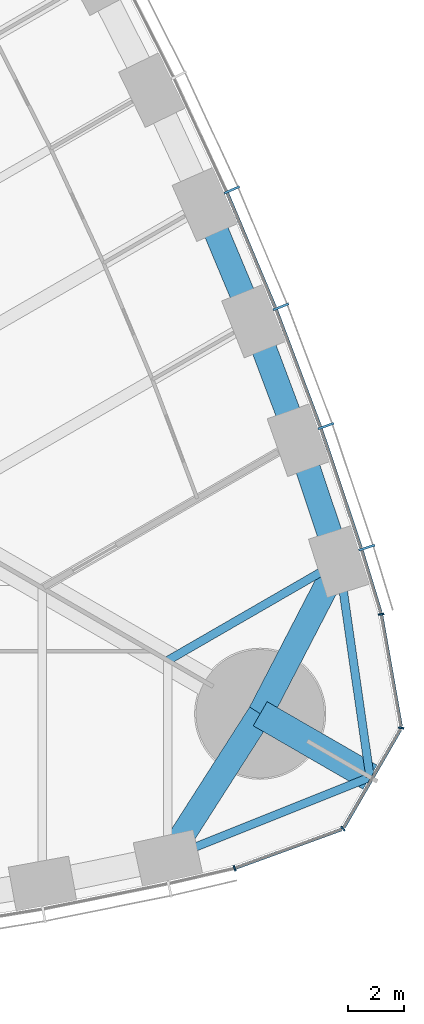
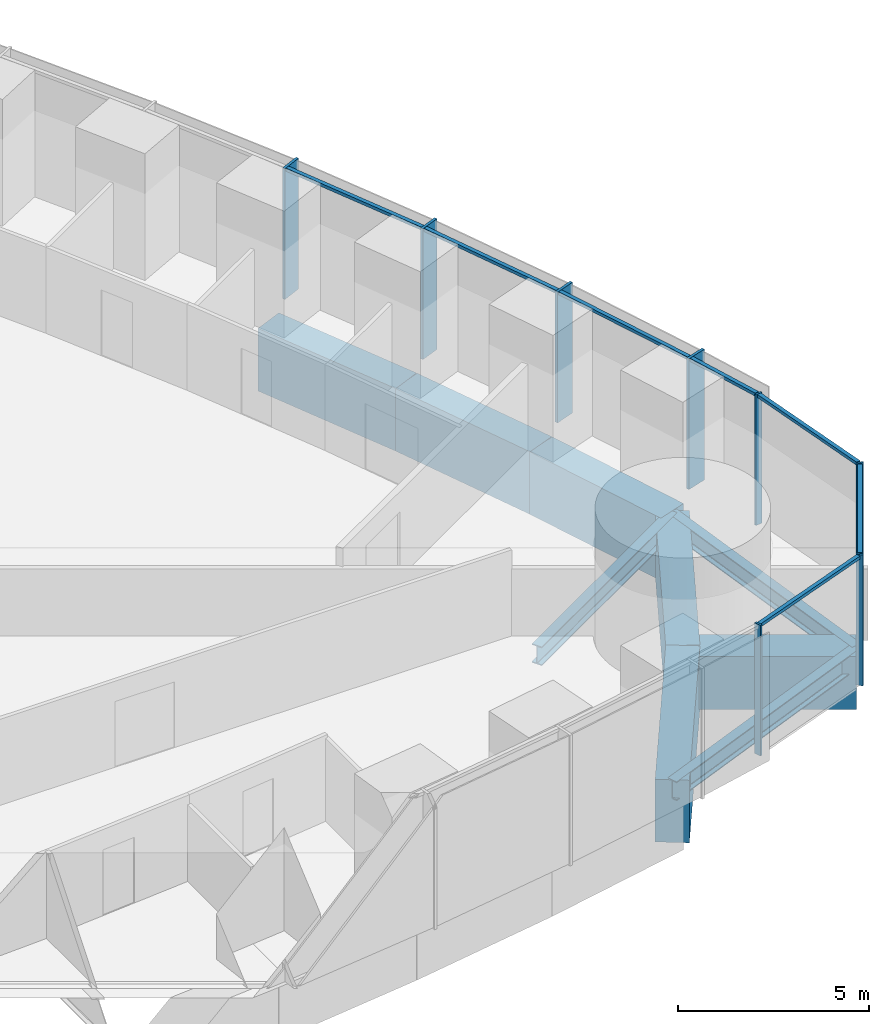
# One storey, part 7 of 18: 15 members, 9 beams, 2 elements without a shape of their own.
"""IFC4 building model written with IfcOpenShell, lengths in metres."""

import ifcopenshell
import ifcopenshell.guid

model = None  # the IFC model being written
_history = None  # IfcOwnerHistory: only IFC2X3 demands one
_inside = {}  # id of a spatial element -> (the spatial element, [elements in it])
_under = {}  # id of a project, library or spatial element -> (it, [spatial elements below it])
_declared = {}  # id of a project -> (the project, [libraries it declares])
_typed = {}  # id of a type object -> (the type object, [elements of that type])
_made_of = {}  # id of a material, layer set ... -> (it, [elements and type objects made of it])


def new_model(schema):
    """Start an empty IFC model of exactly this schema.

    Asked for "IFC4X3", IfcOpenShell would pick the latest addendum, in which some entities
    have other attributes; the version numbers below select the first issue.
    IFC2X3 requires an IfcOwnerHistory on every rooted entity: one is made here for all.
    """
    global model, _history
    if schema == "IFC4X3":
        model = ifcopenshell.file(schema_version=(4, 3, 0, 0))
    else:
        model = ifcopenshell.file(schema=schema)
    _inside.clear()
    _under.clear()
    _declared.clear()
    _typed.clear()
    _made_of.clear()
    _history = None
    if model.schema == "IFC2X3":
        org = make("IfcOrganization", Name="unknown")
        user = make(
            "IfcPersonAndOrganization",
            ThePerson=make("IfcPerson", FamilyName="unknown"),
            TheOrganization=org,
        )
        app = make(
            "IfcApplication",
            ApplicationDeveloper=org,
            Version="unknown",
            ApplicationFullName="unknown",
            ApplicationIdentifier="unknown",
        )
        _history = make(
            "IfcOwnerHistory",
            OwningUser=user,
            OwningApplication=app,
            ChangeAction="ADDED",
            CreationDate=0,
        )
    return model


def make(cls, **values):
    """One entity of the class cls with the attributes given. An attribute that is None is left unset."""
    return model.create_entity(
        cls, **{name: value for name, value in values.items() if value is not None}
    )


def rooted(cls, **values):
    """An entity with a GlobalId (a new one), such as an element, a storey or a relation."""
    return make(cls, GlobalId=ifcopenshell.guid.new(), OwnerHistory=_history, **values)


def si_unit(unit_type, name, prefix=None):
    """IfcSIUnit, for example si_unit("LENGTHUNIT", "METRE", prefix="MILLI")."""
    return make("IfcSIUnit", UnitType=unit_type, Prefix=prefix, Name=name)


def assignment(units):
    """IfcUnitAssignment: the units of a project."""
    return None if units is None else make("IfcUnitAssignment", Units=units)


def point(xyz):
    """IfcCartesianPoint."""
    return None if xyz is None else make("IfcCartesianPoint", Coordinates=xyz)


def direction(xyz):
    """IfcDirection."""
    return None if xyz is None else make("IfcDirection", DirectionRatios=xyz)


def frame(location, z_axis=None, x_axis=None):
    """IfcAxis2Placement3D, a coordinate frame: its origin and axes. An axis left out is left unset."""
    return make(
        "IfcAxis2Placement3D",
        Location=point(location),
        Axis=direction(z_axis),
        RefDirection=direction(x_axis),
    )


def frame_2d(location, x_axis=None):
    """IfcAxis2Placement2D, a coordinate frame in the plane: its origin and x axis."""
    return make(
        "IfcAxis2Placement2D", Location=point(location), RefDirection=direction(x_axis)
    )


def origin():
    """The frame at (0, 0, 0) with its axes left unset."""
    return frame((0.0, 0.0, 0.0))


def origin_2d():
    """The frame at (0, 0) in the plane with its x axis left unset."""
    return frame_2d((0.0, 0.0))


def place(relative_to, where):
    """IfcLocalPlacement: puts the frame where relative to a parent placement (None: the world)."""
    return make(
        "IfcLocalPlacement", PlacementRelTo=relative_to, RelativePlacement=where
    )


def context(
    kind, dimensions, precision=None, world=None, true_north=None, identifier=None
):
    """IfcGeometricRepresentationContext, for example the 3D "Model" context."""
    return make(
        "IfcGeometricRepresentationContext",
        ContextIdentifier=identifier,
        ContextType=kind,
        CoordinateSpaceDimension=dimensions,
        Precision=precision,
        WorldCoordinateSystem=world,
        TrueNorth=true_north,
    )


def subcontext(parent, identifier, kind, view, scale=None):
    """IfcGeometricRepresentationSubContext, for example "Body" below "Model"."""
    return make(
        "IfcGeometricRepresentationSubContext",
        ContextIdentifier=identifier,
        ContextType=kind,
        ParentContext=parent,
        TargetScale=scale,
        TargetView=view,
    )


def project(units=None, contexts=None):
    """IfcProject with its units and contexts."""
    return rooted(
        "IfcProject",
        Name="project",
        RepresentationContexts=contexts,
        UnitsInContext=assignment(units),
    )


def spatial(cls, under=None, at=None, **own):
    """A site, building, storey or space (cls), placed at a placement, below another one or the project."""
    s = rooted(cls, ObjectPlacement=at, **own)
    if under is not None:
        _under.setdefault(under.id(), (under, []))[1].append(s)
    return s


def profile(cls, at=None, kind="AREA", **sizes):
    """A parametric profile (cls). Its sizes go by their IFC names, for example OverallWidth=200.0."""
    return make(cls, ProfileType=kind, Position=at, **sizes)


def rectangle(**sizes):
    """IfcRectangleProfileDef."""
    return profile("IfcRectangleProfileDef", **sizes)


def i_section(**sizes):
    """IfcIShapeProfileDef."""
    return profile("IfcIShapeProfileDef", **sizes)


def extrude(swept, where, along, depth):
    """IfcExtrudedAreaSolid: the profile swept, set in the frame where, extruded along a direction by depth."""
    return make(
        "IfcExtrudedAreaSolid",
        SweptArea=swept,
        Position=where,
        ExtrudedDirection=direction(along),
        Depth=depth,
    )


def shape(context_of_items, identifier, shape_type, items):
    """IfcShapeRepresentation: the items that make up one representation, for example the "Body"."""
    return make(
        "IfcShapeRepresentation",
        ContextOfItems=context_of_items,
        RepresentationIdentifier=identifier,
        RepresentationType=shape_type,
        Items=items,
    )


def material(Name=None, Category=None):
    """IfcMaterial."""
    return make("IfcMaterial", Name=Name, Category=Category)


def material_profile(
    of_material, cross_section, Name=None, Category=None, Priority=None
):
    """IfcMaterialProfile: a cross section and its material."""
    return make(
        "IfcMaterialProfile",
        Name=Name,
        Material=of_material,
        Profile=cross_section,
        Priority=Priority,
        Category=Category,
    )


def profile_set(profiles, Name=None, composite=None):
    """IfcMaterialProfileSet."""
    return make(
        "IfcMaterialProfileSet",
        Name=Name,
        MaterialProfiles=profiles,
        CompositeProfile=composite,
    )


def made_of(thing, what):
    """Note that an element or type object is made of a material, layer set ...; save() writes the relation."""
    if what is not None:
        _made_of.setdefault(what.id(), (what, []))[1].append(thing)
    return thing


def type_object(cls, material=None, **own):
    """A type object (cls), such as IfcWallType, which elements share."""
    return made_of(rooted(cls, **own), material)


def element(
    cls,
    number,
    at=None,
    inside=None,
    cuts=None,
    type_object=None,
    material=None,
    context=None,
    identifier="Body",
    shape_type=None,
    held_by="IfcProductDefinitionShape",
    body=None,
    shapes=None,
    **own,
):
    """One element of the class cls, such as IfcWall. Its Tag is "e" and its number.

    at: its placement. inside: the storey or other place that contains it. cuts: it is an
    opening in that element (IfcRelVoidsElement). A single representation is given by context,
    identifier, shape_type and body (its items); several are given by shapes. held_by: the class
    of the entity that holds the representations. save() writes the other relations.
    """
    e = rooted(cls, Tag="e%d" % number, ObjectPlacement=at, **own)
    if body is not None:
        shapes = [shape(context, identifier, shape_type, body)]
    if shapes is not None:
        e.Representation = make(held_by, Representations=shapes)
    if inside is not None:
        _inside.setdefault(inside.id(), (inside, []))[1].append(e)
    if cuts is not None:
        rooted(
            "IfcRelVoidsElement", RelatingBuildingElement=cuts, RelatedOpeningElement=e
        )
    if type_object is not None:
        _typed.setdefault(type_object.id(), (type_object, []))[1].append(e)
    return made_of(e, material)


def aggregate(whole, parts):
    """IfcRelAggregates: a whole, such as a stair, and the parts it consists of."""
    return rooted("IfcRelAggregates", RelatingObject=whole, RelatedObjects=parts)


def save(model, path):
    """Write the relations noted so far, then the file.

    IfcRelAggregates (storeys below a building ...), IfcRelContainedInSpatialStructure (elements
    in a storey), IfcRelDefinesByType, IfcRelAssociatesMaterial and IfcRelDeclares: one each for
    every whole, place, type object, material and project.
    """
    for whole, parts in _under.values():
        aggregate(whole, parts)
    for where, things in _inside.values():
        rooted(
            "IfcRelContainedInSpatialStructure",
            RelatedElements=things,
            RelatingStructure=where,
        )
    for kind, things in _typed.values():
        rooted("IfcRelDefinesByType", RelatedObjects=things, RelatingType=kind)
    for what, things in _made_of.values():
        rooted("IfcRelAssociatesMaterial", RelatedObjects=things, RelatingMaterial=what)
    for by, libraries in _declared.values():
        rooted("IfcRelDeclares", RelatingContext=by, RelatedDefinitions=libraries)
    model.write(path)


model = new_model("IFC4")

# Units and contexts
model_context = context("Model", 3, precision=1e-05, world=origin(), true_north=direction((0.0, 1.0)))
body_context = subcontext(model_context, "Body", "Model", "MODEL_VIEW")
ifc_project = project(units=[si_unit("LENGTHUNIT", "METRE"), si_unit("AREAUNIT", "SQUARE_METRE"), si_unit("VOLUMEUNIT", "CUBIC_METRE"), si_unit("PLANEANGLEUNIT", "RADIAN"), si_unit("MASSUNIT", "GRAM", prefix="KILO")], contexts=[model_context])

# Site, building, storey
site_placement = place(None, origin())
site = spatial("IfcSite", under=ifc_project, at=site_placement, CompositionType="ELEMENT")
building_placement = place(site_placement, origin())
building = spatial("IfcBuilding", under=site, at=building_placement, Name="Trefoil Bronze Tower", CompositionType="ELEMENT")
storey_placement = place(building_placement, frame((0.0, 0.0, 111.5)))
storey = spatial("IfcBuildingStorey", under=building, at=storey_placement, Name="L25", CompositionType="ELEMENT", Elevation=111.5)

# Curtain wall, members
ifc_material_1 = material(Name="Tinted solar-control glass", Category="glass")
curtain_wall_type_1 = type_object("IfcCurtainWallType", Name="Bronze office curtain wall", PredefinedType="USERDEFINED", material=ifc_material_1)
curtain_wall_1_placement = place(storey_placement, origin())
curtain_wall_1 = element("IfcCurtainWall", 1, at=curtain_wall_1_placement, inside=storey, type_object=curtain_wall_type_1, Name="CW-A L25 F2", ObjectType="CURTAIN WALL", PredefinedType="USERDEFINED")
ifc_material_2 = material(Name="Bronze-finish aluminium", Category="aluminium")
ifc_material_profile_1 = material_profile(ifc_material_2, rectangle(XDim=0.60009765625, YDim=0.080078125, at=origin_2d()), Name="CW-A mullion")
ifc_profile_set_1 = profile_set([ifc_material_profile_1], Name="Bronze-finish aluminium")
member_type_1 = type_object("IfcMemberType", Name="Bronze office curtain wall mullion", PredefinedType="MULLION", material=ifc_profile_set_1)
member_1_placement = place(storey_placement, frame((34.1337890625, -11.543212890625, 0.0), z_axis=(0.0, 0.0, 1.0), x_axis=(-0.952331125357, -0.30506626768, 0.0)))
member_1 = element("IfcMember", 2, at=member_1_placement, type_object=member_type_1, Name="CW-A L25 F2 mullion 2", PredefinedType="MULLION", context=body_context, shape_type="SweptSolid", body=[
    extrude(rectangle(XDim=0.60009765625, YDim=0.080078125, at=origin_2d()), origin(), (0.0, 0.0, 1.0), 4.179931640625),
])
member_2_placement = place(storey_placement, frame((32.668701171875, -7.181884765625, 0.0), z_axis=(0.0, 0.0, 1.0), x_axis=(-0.94196250502, -0.335718094742, 0.0)))
member_2 = element("IfcMember", 3, at=member_2_placement, type_object=member_type_1, Name="CW-A L25 F2 mullion 3", PredefinedType="MULLION", context=body_context, shape_type="SweptSolid", body=[
    extrude(rectangle(XDim=0.60009765625, YDim=0.080078125, at=origin_2d()), origin(), (0.0, 0.0, 1.0), 4.179931640625),
])
member_3_placement = place(storey_placement, frame((31.055419921875, -2.90478515625, 0.0), z_axis=(0.0, 0.0, 1.0), x_axis=(-0.929071242848, -0.369900832269, 0.0)))
member_3 = element("IfcMember", 4, at=member_3_placement, type_object=member_type_1, Name="CW-A L25 F2 mullion 4", PredefinedType="MULLION", context=body_context, shape_type="SweptSolid", body=[
    extrude(rectangle(XDim=0.60009765625, YDim=0.080078125, at=origin_2d()), origin(), (0.0, 0.0, 1.0), 4.179931640625),
])
member_4_placement = place(storey_placement, frame((29.296875, 1.28857421875, 0.0), z_axis=(0.0, 0.0, 1.0), x_axis=(-0.915018269914, -0.40341240155, 0.0)))
member_4 = element("IfcMember", 5, at=member_4_placement, type_object=member_type_1, Name="CW-A L25 F2 mullion 5", PredefinedType="MULLION", context=body_context, shape_type="SweptSolid", body=[
    extrude(rectangle(XDim=0.60009765625, YDim=0.080078125, at=origin_2d()), origin(), (0.0, 0.0, 1.0), 4.179931640625),
])
ifc_material_3 = material(Name="Bronze-finish aluminium", Category="aluminium")
ifc_material_profile_2 = material_profile(ifc_material_3, rectangle(XDim=0.1201171875, YDim=0.10009765625, at=origin_2d()), Name="CW-A transom")
ifc_profile_set_2 = profile_set([ifc_material_profile_2], Name="Bronze-finish aluminium")
member_type_2 = type_object("IfcMemberType", Name="Bronze office curtain wall transom", PredefinedType="USERDEFINED", material=ifc_profile_set_2)
member_5_placement = place(storey_placement, frame((34.637939453125, -13.88232421875, 4.1298828125), z_axis=(-0.291680468798, 0.956515814883, 0.0), x_axis=(-0.956515814883, -0.291680468798, 0.0)))
member_5 = element("IfcMember", 6, at=member_5_placement, type_object=member_type_2, Name="CW-A L25 F2 transom 1", ObjectType="TRANSOM", PredefinedType="USERDEFINED", context=body_context, shape_type="SweptSolid", body=[
    extrude(rectangle(XDim=0.1201171875, YDim=0.10009765625, at=origin_2d()), origin(), (0.0, 0.0, 1.0), 2.34033203125),
])
member_6_placement = place(storey_placement, frame((33.929931640625, -11.56494140625, 4.1298828125), z_axis=(-0.318386323729, 0.947961048178, 0.0), x_axis=(-0.947961048178, -0.318386323729, 0.0)))
member_6 = element("IfcMember", 7, at=member_6_placement, type_object=member_type_2, Name="CW-A L25 F2 transom 2", ObjectType="TRANSOM", PredefinedType="USERDEFINED", context=body_context, shape_type="SweptSolid", body=[
    extrude(rectangle(XDim=0.1201171875, YDim=0.10009765625, at=origin_2d()), origin(), (0.0, 0.0, 1.0), 4.51123046875),
])
member_7_placement = place(storey_placement, frame((32.465576171875, -7.2099609375, 4.1298828125), z_axis=(-0.352932154759, 0.935648916067, 0.0), x_axis=(-0.935648916067, -0.352932154759, 0.0)))
member_7 = element("IfcMember", 8, at=member_7_placement, type_object=member_type_2, Name="CW-A L25 F2 transom 3", ObjectType="TRANSOM", PredefinedType="USERDEFINED", context=body_context, shape_type="SweptSolid", body=[
    extrude(rectangle(XDim=0.1201171875, YDim=0.10009765625, at=origin_2d()), origin(), (0.0, 0.0, 1.0), 4.48046875),
])
member_8_placement = place(storey_placement, frame((30.853515625, -2.940185546875, 4.1298828125), z_axis=(-0.386773266184, 0.922174842731, 0.0), x_axis=(-0.922174842731, -0.386773266184, 0.0)))
member_8 = element("IfcMember", 9, at=member_8_placement, type_object=member_type_2, Name="CW-A L25 F2 transom 4", ObjectType="TRANSOM", PredefinedType="USERDEFINED", context=body_context, shape_type="SweptSolid", body=[
    extrude(rectangle(XDim=0.1201171875, YDim=0.10009765625, at=origin_2d()), origin(), (0.0, 0.0, 1.0), 4.45654296875),
])
aggregate(curtain_wall_1, [member_1, member_2, member_3, member_4, member_5, member_6, member_7, member_8])

ifc_material_4 = material(Name="Tinted solar-control glass", Category="glass")
curtain_wall_type_2 = type_object("IfcCurtainWallType", Name="Bronze rounded corner curtain wall", PredefinedType="USERDEFINED", material=ifc_material_4)
curtain_wall_2_placement = place(storey_placement, origin())
curtain_wall_2 = element("IfcCurtainWall", 10, at=curtain_wall_2_placement, inside=storey, type_object=curtain_wall_type_2, Name="CW-B L25 K1", ObjectType="CURTAIN WALL", PredefinedType="USERDEFINED")
ifc_material_5 = material(Name="Bronze-finish aluminium", Category="aluminium")
ifc_material_profile_3 = material_profile(ifc_material_5, rectangle(XDim=0.199951171875, YDim=0.06005859375, at=origin_2d()), Name="CW-B mullion")
ifc_profile_set_3 = profile_set([ifc_material_profile_3], Name="Bronze-finish aluminium")
member_type_3 = type_object("IfcMemberType", Name="Bronze rounded corner curtain wall mullion", PredefinedType="MULLION", material=ifc_profile_set_3)
member_9_placement = place(storey_placement, frame((29.391845703125, -23.043701171875, 0.0), z_axis=(0.0, 0.0, 1.0), x_axis=(-0.342020143326, 0.939692620786, 0.0)))
member_9 = element("IfcMember", 11, at=member_9_placement, type_object=member_type_3, Name="CW-B L25 K1 mullion 1", PredefinedType="MULLION", context=body_context, shape_type="SweptSolid", body=[
    extrude(rectangle(XDim=0.199951171875, YDim=0.06005859375, at=origin_2d()), origin(), (0.0, 0.0, 1.0), 4.179931640625),
])
member_10_placement = place(storey_placement, frame((33.27880859375, -21.62255859375, 0.0), z_axis=(0.0, 0.0, 1.0), x_axis=(-0.642787609687, 0.766044443119, 0.0)))
member_10 = element("IfcMember", 12, at=member_10_placement, type_object=member_type_3, Name="CW-B L25 K1 mullion 2", PredefinedType="MULLION", context=body_context, shape_type="SweptSolid", body=[
    extrude(rectangle(XDim=0.199951171875, YDim=0.06005859375, at=origin_2d()), origin(), (0.0, 0.0, 1.0), 4.179931640625),
])
member_11_placement = place(storey_placement, frame((35.364990234375, -18.009033203125, 0.0), z_axis=(0.0, 0.0, 1.0), x_axis=(-0.984807753012, 0.173648177667, 0.0)))
member_11 = element("IfcMember", 13, at=member_11_placement, type_object=member_type_3, Name="CW-B L25 K1 mullion 3", PredefinedType="MULLION", context=body_context, shape_type="SweptSolid", body=[
    extrude(rectangle(XDim=0.199951171875, YDim=0.06005859375, at=origin_2d()), origin(), (0.0, 0.0, 1.0), 4.179931640625),
])
member_12_placement = place(storey_placement, frame((34.65234375, -13.932373046875, 0.0), z_axis=(0.0, 0.0, 1.0), x_axis=(-0.984807753012, -0.173648177667, 0.0)))
member_12 = element("IfcMember", 14, at=member_12_placement, type_object=member_type_3, Name="CW-B L25 K1 mullion 4", PredefinedType="MULLION", context=body_context, shape_type="SweptSolid", body=[
    extrude(rectangle(XDim=0.199951171875, YDim=0.06005859375, at=origin_2d()), origin(), (0.0, 0.0, 1.0), 4.179931640625),
])
ifc_material_6 = material(Name="Bronze-finish aluminium", Category="aluminium")
ifc_material_profile_4 = material_profile(ifc_material_6, rectangle(XDim=0.1201171875, YDim=0.10009765625, at=origin_2d()), Name="CW-B transom")
ifc_profile_set_4 = profile_set([ifc_material_profile_4], Name="Bronze-finish aluminium")
member_type_4 = type_object("IfcMemberType", Name="Bronze rounded corner curtain wall transom", PredefinedType="USERDEFINED", material=ifc_profile_set_4)
member_13_placement = place(storey_placement, frame((29.420166015625, -23.033447265625, 4.1298828125), z_axis=(0.939684096629, 0.342043562347, 0.0), x_axis=(-0.342043562347, 0.939684096629, 0.0)))
member_13 = element("IfcMember", 15, at=member_13_placement, type_object=member_type_4, Name="CW-B L25 K1 transom 1", ObjectType="TRANSOM", PredefinedType="USERDEFINED", context=body_context, shape_type="SweptSolid", body=[
    extrude(rectangle(XDim=0.1201171875, YDim=0.10009765625, at=origin_2d()), origin(), (0.0, 0.0, 1.0), 4.044189453125),
])
member_14_placement = place(storey_placement, frame((33.31591796875, -21.570068359375, 4.1298828125), z_axis=(0.500015078168, 0.866016698225, 0.0), x_axis=(-0.866016698225, 0.500015078168, 0.0)))
member_14 = element("IfcMember", 16, at=member_14_placement, type_object=member_type_4, Name="CW-B L25 K1 transom 2", ObjectType="TRANSOM", PredefinedType="USERDEFINED", context=body_context, shape_type="SweptSolid", body=[
    extrude(rectangle(XDim=0.1201171875, YDim=0.10009765625, at=origin_2d()), origin(), (0.0, 0.0, 1.0), 4.04443359375),
])
member_15_placement = place(storey_placement, frame((35.35986328125, -17.944580078125, 4.1298828125), z_axis=(-0.173682016639, 0.984801785689, 0.0), x_axis=(-0.984801785689, -0.173682016639, 0.0)))
member_15 = element("IfcMember", 17, at=member_15_placement, type_object=member_type_4, Name="CW-B L25 K1 transom 3", ObjectType="TRANSOM", PredefinedType="USERDEFINED", context=body_context, shape_type="SweptSolid", body=[
    extrude(rectangle(XDim=0.1201171875, YDim=0.10009765625, at=origin_2d()), origin(), (0.0, 0.0, 1.0), 4.044189453125),
])
aggregate(curtain_wall_2, [member_9, member_10, member_11, member_12, member_13, member_14, member_15])

# Beams
ifc_material_7 = material(Name="Concrete B80", Category="concrete")
ifc_material_profile_5 = material_profile(ifc_material_7, rectangle(XDim=1.0, YDim=1.699951171875, at=origin_2d()), Name="RC 1000x1700")
ifc_profile_set_5 = profile_set([ifc_material_profile_5], Name="Concrete B80")
beam_type_1 = type_object("IfcBeamType", Name="Corner cantilever RC 1000x1700", PredefinedType="BEAM", material=ifc_profile_set_5)
beam_1_placement = place(storey_placement, frame((30.310791015625, -17.5, -1.050048828125), z_axis=(0.866031878637, -0.499988785058, 0.0), x_axis=(0.499988785058, 0.866031878637, 0.0)))
element("IfcBeam", 18, at=beam_1_placement, inside=storey, type_object=beam_type_1, Name="Corner cantilever K1 L25", PredefinedType="BEAM", context=body_context, shape_type="SweptSolid", body=[
    extrude(rectangle(XDim=1.0, YDim=1.699951171875, at=origin_2d()), origin(), (0.0, 0.0, 1.0), 4.54931640625),
])
ifc_material_8 = material(Name="Steel C355", Category="steel")
ifc_material_profile_6 = material_profile(ifc_material_8, i_section(OverallWidth=0.300048828125, OverallDepth=0.60009765625, WebThickness=0.015380859375, FlangeThickness=0.030029296875, FilletRadius=0.027099609375, at=origin_2d()), Name="HEB 600")
ifc_profile_set_6 = profile_set([ifc_material_profile_6], Name="Steel C355")
beam_type_2 = type_object("IfcBeamType", Name="Corner edge beam HEB 600", PredefinedType="BEAM", material=ifc_profile_set_6)
for number, where, z_axis, x_axis, name in (
    (19, (27.0, -22.67724609375, -0.5), (0.928375332495, 0.371643972122, 0.0), (-0.371643972122, 0.928375332495, 0.0), "Corner edge beam F1A L25"),
    (20, (33.13916015625, -12.044189453125, -0.5), (0.142327214588, -0.989819662357, 0.0), (0.989819662357, 0.142327214588, 0.0), "Corner edge beam F2B L25"),
):
    element("IfcBeam", number, at=place(storey_placement, frame(where, z_axis=z_axis, x_axis=x_axis)), inside=storey, type_object=beam_type_2, Name=name, PredefinedType="BEAM", context=body_context, shape_type="SweptSolid", body=[
        extrude(i_section(OverallWidth=0.300048828125, OverallDepth=0.60009765625, WebThickness=0.015380859375, FlangeThickness=0.030029296875, FilletRadius=0.027099609375, at=origin_2d()), origin(), (0.0, 0.0, 1.0), 7.81005859375),
    ])
ifc_material_9 = material(Name="Concrete B80", Category="concrete")
ifc_material_profile_7 = material_profile(ifc_material_9, rectangle(XDim=0.89990234375, YDim=2.0, at=origin_2d()), Name="RC 900x2000")
ifc_profile_set_7 = profile_set([ifc_material_profile_7], Name="Concrete B80")
beam_type_3 = type_object("IfcBeamType", Name="End spandrel beam RC 900x2000", PredefinedType="SPANDREL", material=ifc_profile_set_7)
for number, where, z_axis, x_axis, name in (
    (21, (27.0, -22.67724609375, -1.199951171875), (0.53874814953, 0.84246687257, 0.0), (-0.84246687257, 0.53874814953, 0.0), "Spandrel F1.14 L25"),
    (22, (30.310791015625, -17.5, -1.199951171875), (0.460244107083, 0.887792409235, 0.0), (-0.887792409235, 0.460244107083, 0.0), "Spandrel F2.1 L25"),
):
    element("IfcBeam", number, at=place(storey_placement, frame(where, z_axis=z_axis, x_axis=x_axis)), inside=storey, type_object=beam_type_3, Name=name, PredefinedType="SPANDREL", context=body_context, shape_type="SweptSolid", body=[
        extrude(rectangle(XDim=0.89990234375, YDim=2.0, at=origin_2d()), origin(), (0.0, 0.0, 1.0), 6.145263671875),
    ])
ifc_material_10 = material(Name="Steel C355", Category="steel")
ifc_material_profile_8 = material_profile(ifc_material_10, i_section(OverallWidth=0.300048828125, OverallDepth=0.60009765625, WebThickness=0.015380859375, FlangeThickness=0.030029296875, FilletRadius=0.027099609375, at=origin_2d()), Name="HEB 600")
ifc_profile_set_8 = profile_set([ifc_material_profile_8], Name="Steel C355")
beam_type_4 = type_object("IfcBeamType", Name="Floor beam HEB 600", PredefinedType="BEAM", material=ifc_profile_set_8)
beam_2_placement = place(storey_placement, frame((33.13916015625, -12.044189453125, -0.5), z_axis=(-0.866041060244, -0.499972881236, 0.0), x_axis=(0.499972881236, -0.866041060244, 0.0)))
element("IfcBeam", 23, at=beam_2_placement, inside=storey, type_object=beam_type_4, Name="Floor beam F2/-6 L25", PredefinedType="BEAM", context=body_context, shape_type="SweptSolid", body=[
    extrude(i_section(OverallWidth=0.300048828125, OverallDepth=0.60009765625, WebThickness=0.015380859375, FlangeThickness=0.030029296875, FilletRadius=0.027099609375, at=origin_2d()), origin(), (0.0, 0.0, 1.0), 7.0888671875),
])
ifc_material_11 = material(Name="Concrete B80", Category="concrete")
ifc_material_profile_9 = material_profile(ifc_material_11, rectangle(XDim=0.89990234375, YDim=2.0, at=origin_2d()), Name="RC 900x2000")
ifc_profile_set_9 = profile_set([ifc_material_profile_9], Name="Concrete B80")
beam_type_5 = type_object("IfcBeamType", Name="Spandrel beam RC 900x2000", PredefinedType="SPANDREL", material=ifc_profile_set_9)
beam_3_placement = place(storey_placement, frame((33.13916015625, -12.044189453125, -1.199951171875), z_axis=(-0.31732802068, 0.948315837309, 0.0), x_axis=(-0.948315837309, -0.31732802068, 0.0)))
element("IfcBeam", 24, at=beam_3_placement, inside=storey, type_object=beam_type_5, Name="Spandrel F2.2 L25", PredefinedType="SPANDREL", context=body_context, shape_type="SweptSolid", body=[
    extrude(rectangle(XDim=0.89990234375, YDim=2.0, at=origin_2d()), origin(), (0.0, 0.0, 1.0), 4.59228515625),
])
beam_4_placement = place(storey_placement, frame((31.681884765625, -7.689208984375, -1.199951171875), z_axis=(-0.351938675523, 0.936023059904, 0.0), x_axis=(-0.936023059904, -0.351938675523, 0.0)))
element("IfcBeam", 25, at=beam_4_placement, inside=storey, type_object=beam_type_5, Name="Spandrel F2.3 L25", PredefinedType="SPANDREL", context=body_context, shape_type="SweptSolid", body=[
    extrude(rectangle(XDim=0.89990234375, YDim=2.0, at=origin_2d()), origin(), (0.0, 0.0, 1.0), 4.56103515625),
])
beam_5_placement = place(storey_placement, frame((30.07666015625, -3.419921875, -1.199951171875), z_axis=(-0.386013490858, 0.922493135408, 0.0), x_axis=(-0.922493135408, -0.386013490858, 0.0)))
element("IfcBeam", 26, at=beam_5_placement, inside=storey, type_object=beam_type_5, Name="Spandrel F2.4 L25", PredefinedType="SPANDREL", context=body_context, shape_type="SweptSolid", body=[
    extrude(rectangle(XDim=0.89990234375, YDim=2.0, at=origin_2d()), origin(), (0.0, 0.0, 1.0), 4.53662109375),
])

save(model, "model.ifc")
